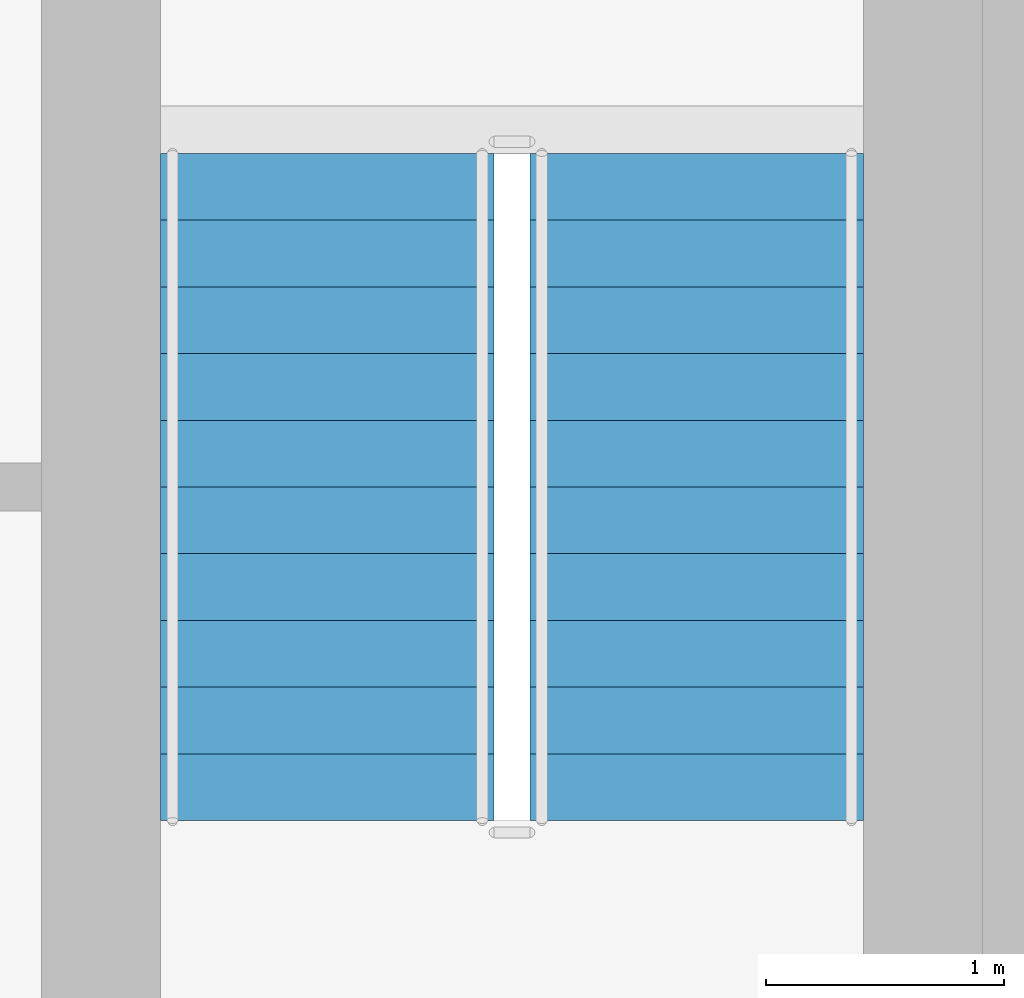
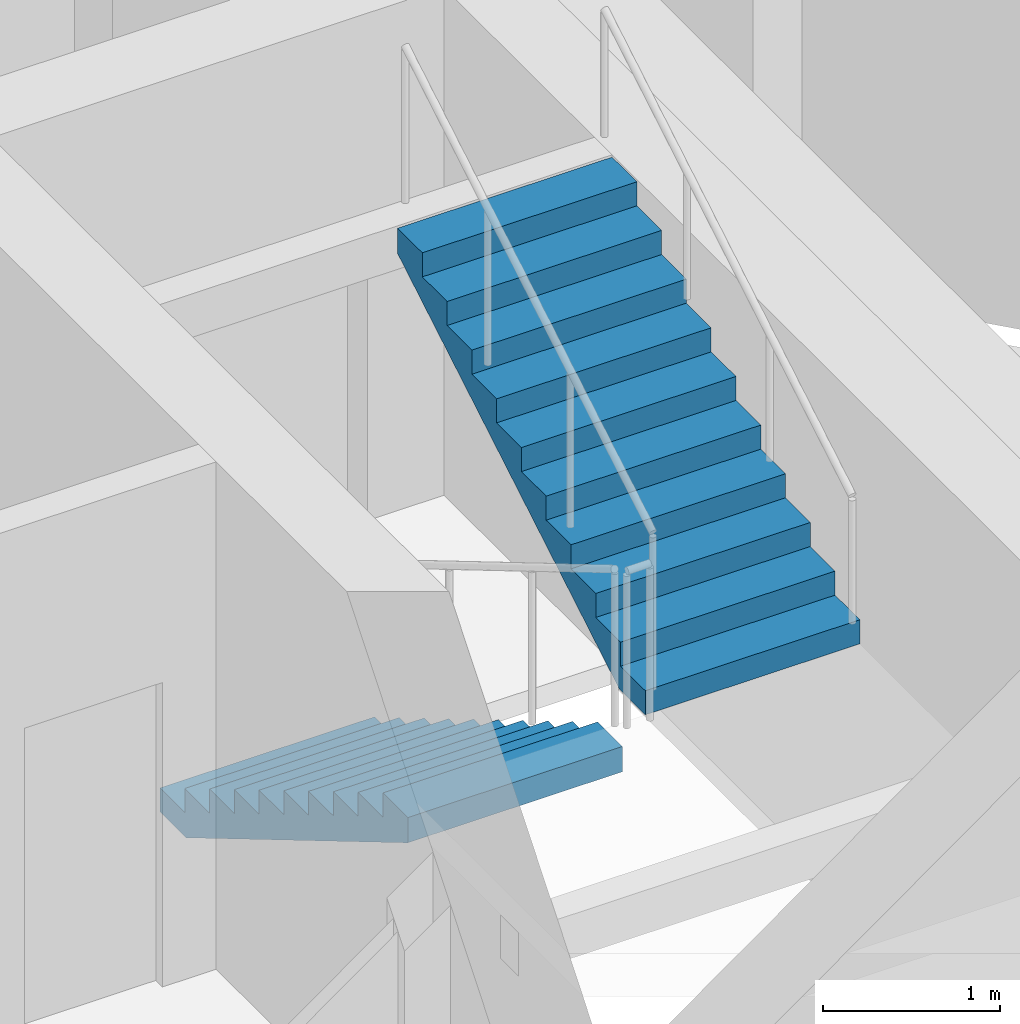
# One storey, part 14 of 20: 2 stair flights, 1 element without a shape of its own.
"""IFC4 building model written with IfcOpenShell, lengths in metres."""

from ifc_helpers import new_model, si_unit, direction, frame, origin, place, context, subcontext, project, spatial, polyline, outline, extrude, material, type_object, element, aggregate, save


model = new_model("IFC4")

# Units and contexts
model_context = context("Model", 3, precision=1e-05, world=origin(), true_north=direction((0.0, 1.0)))
body_context = subcontext(model_context, "Body", "Model", "MODEL_VIEW")
ifc_project = project(units=[si_unit("LENGTHUNIT", "METRE"), si_unit("AREAUNIT", "SQUARE_METRE"), si_unit("VOLUMEUNIT", "CUBIC_METRE"), si_unit("PLANEANGLEUNIT", "RADIAN"), si_unit("MASSUNIT", "GRAM", prefix="KILO")], contexts=[model_context])

# Site, building, storey
site_placement = place(None, origin())
site = spatial("IfcSite", under=ifc_project, at=site_placement, CompositionType="ELEMENT")
building_placement = place(site_placement, origin())
building = spatial("IfcBuilding", under=site, at=building_placement, Name="Isthmus Gate Tower", CompositionType="ELEMENT")
storey_placement = place(building_placement, frame((0.0, 0.0, 279.199951171875)))
storey = spatial("IfcBuildingStorey", under=building, at=storey_placement, Name="L71", CompositionType="ELEMENT", Elevation=279.199951171875)

# Stair, stair flights
ifc_material_1 = material(Name="Concrete f'c 40 MPa", Category="concrete")
stair_type = type_object("IfcStairType", Name="CORE STAIR 22 RISERS", PredefinedType="HALF_TURN_STAIR", material=ifc_material_1)
stair_placement = place(storey_placement, origin())
stair = element("IfcStair", 1, at=stair_placement, inside=storey, type_object=stair_type, Name="L71 Exit Stair 2", PredefinedType="HALF_TURN_STAIR")
ifc_material_2 = material(Name="Concrete f'c 40 MPa", Category="concrete")
stair_flight_type = type_object("IfcStairFlightType", Name="STAIR FLIGHT RC 1400", PredefinedType="STRAIGHT", material=ifc_material_2)
stair_flight_1_placement = place(storey_placement, frame((11.75, 12.60009765625, 0.0), z_axis=(0.0, 0.0, 1.0), x_axis=(0.0, -1.0, 0.0)))
stair_flight_1 = element("IfcStairFlight", 2, at=stair_flight_1_placement, type_object=stair_flight_type, Name="ST2 flight 1", NumberOfRisers=11, NumberOfTreads=10, PredefinedType="STRAIGHT", RiserHeight=0.165909091, TreadLength=0.28, context=body_context, shape_type="SweptSolid", body=[
    extrude(outline(polyline([(0.0, 0.0), (0.0, 0.166015625), (0.280029296875, 0.166015625), (0.280029296875, 0.331787109375), (0.56005859375, 0.331787109375), (0.56005859375, 0.497802734375), (0.840087890625, 0.497802734375), (0.840087890625, 0.66357421875), (1.1201171875, 0.66357421875), (1.1201171875, 0.82958984375), (1.39990234375, 0.82958984375), (1.39990234375, 0.995361328125), (1.679931640625, 0.995361328125), (1.679931640625, 1.161376953125), (1.9599609375, 1.161376953125), (1.9599609375, 1.327392578125), (2.239990234375, 1.327392578125), (2.239990234375, 1.4931640625), (2.52001953125, 1.4931640625), (2.52001953125, 1.6591796875), (2.800048828125, 1.6591796875), (2.800048828125, 1.824951171875), (2.800048828125, 1.48486328125), (0.2939453125, 0.0), (0.0, 0.0)])), frame((0.0, 0.699951171875, 0.0), z_axis=(0.0, -1.0, 0.0), x_axis=(1.0, 0.0, 0.0)), (0.0, 0.0, 1.0), 1.39990234375),
])
stair_flight_2_placement = place(storey_placement, frame((13.300048828125, 9.800048828125, 1.824951171875), z_axis=(0.0, 0.0, 1.0), x_axis=(0.0, 1.0, 0.0)))
stair_flight_2 = element("IfcStairFlight", 3, at=stair_flight_2_placement, type_object=stair_flight_type, Name="ST2 flight 2", NumberOfRisers=11, NumberOfTreads=10, PredefinedType="STRAIGHT", RiserHeight=0.165909091, TreadLength=0.28, context=body_context, shape_type="SweptSolid", body=[
    extrude(outline(polyline([(0.0, 0.0), (0.0, 0.166015625), (0.280029296875, 0.166015625), (0.280029296875, 0.331787109375), (0.56005859375, 0.331787109375), (0.56005859375, 0.497802734375), (0.840087890625, 0.497802734375), (0.840087890625, 0.66357421875), (1.1201171875, 0.66357421875), (1.1201171875, 0.82958984375), (1.39990234375, 0.82958984375), (1.39990234375, 0.995361328125), (1.679931640625, 0.995361328125), (1.679931640625, 1.161376953125), (1.9599609375, 1.161376953125), (1.9599609375, 1.327392578125), (2.239990234375, 1.327392578125), (2.239990234375, 1.4931640625), (2.52001953125, 1.4931640625), (2.52001953125, 1.6591796875), (2.800048828125, 1.6591796875), (2.800048828125, 1.824951171875), (2.800048828125, 1.48486328125), (0.2939453125, 0.0), (0.0, 0.0)])), frame((0.0, 0.699951171875, 0.0), z_axis=(0.0, -1.0, 0.0), x_axis=(1.0, 0.0, 0.0)), (0.0, 0.0, 1.0), 1.39990234375),
])
aggregate(stair, [stair_flight_1, stair_flight_2])

save(model, "model.ifc")
